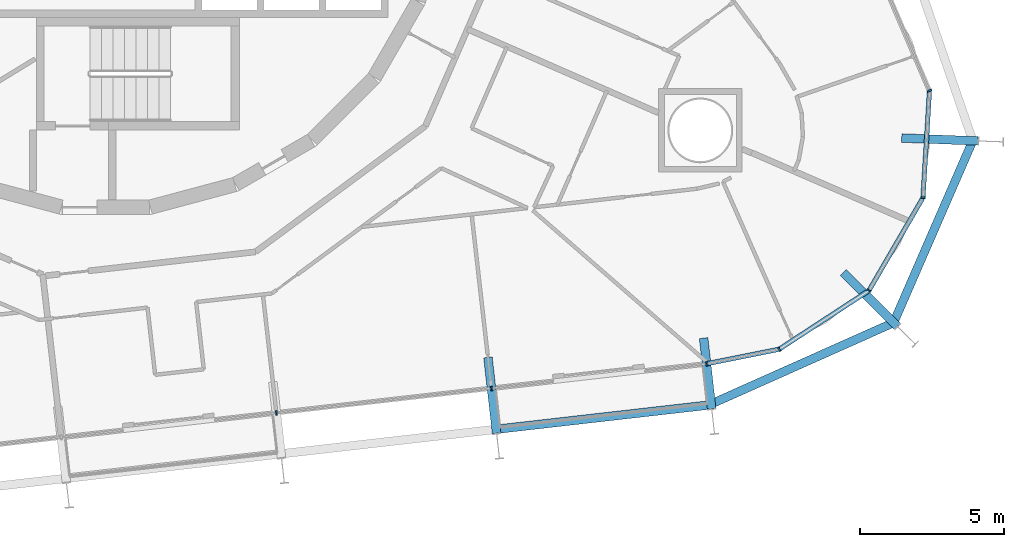
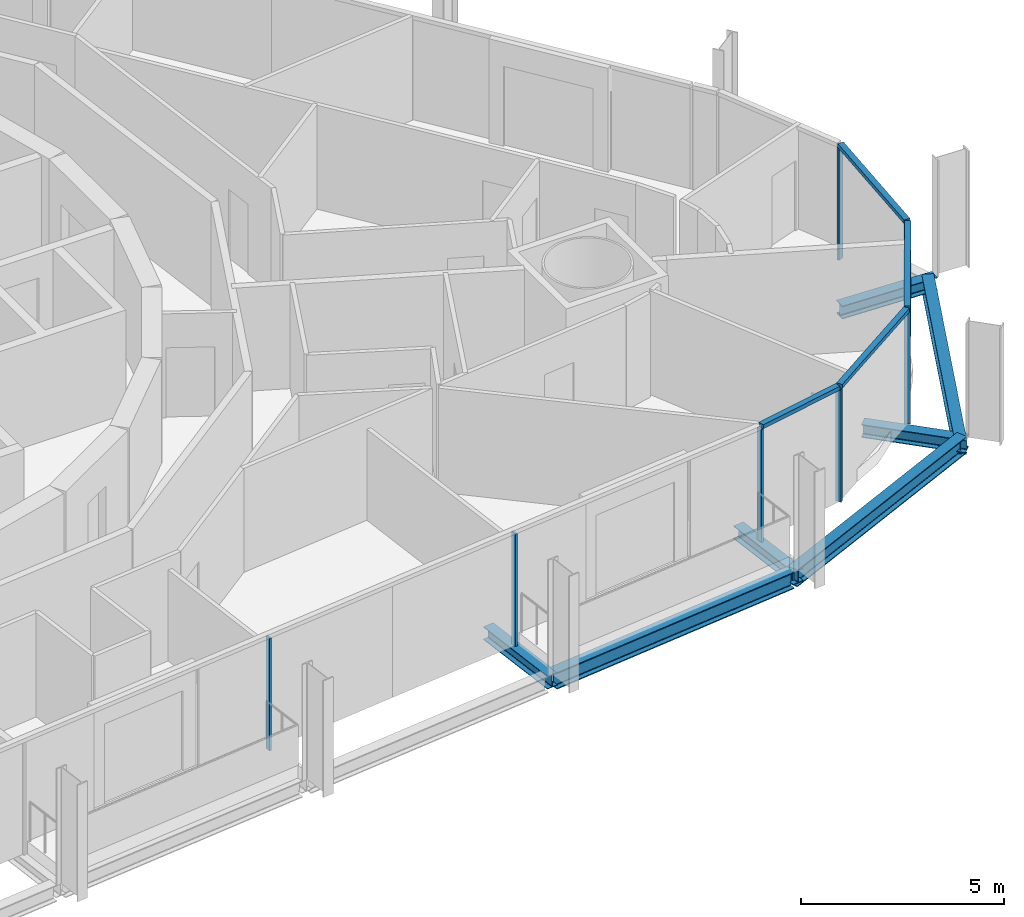
# One storey, part 7 of 24: 11 members, 7 beams, 2 elements without a shape of their own.
"""IFC4 building model written with IfcOpenShell, lengths in metres."""

from ifc_helpers import new_model, si_unit, direction, frame, origin, origin_2d, place, context, subcontext, project, spatial, rectangle, i_section, extrude, material, layer, layer_set, material_profile, profile_set, type_object, element, aggregate, save


model = new_model("IFC4")

# Units and contexts
model_context = context("Model", 3, precision=1e-05, world=origin(), true_north=direction((0.0, 1.0)))
body_context = subcontext(model_context, "Body", "Model", "MODEL_VIEW")
ifc_project = project(units=[si_unit("LENGTHUNIT", "METRE"), si_unit("AREAUNIT", "SQUARE_METRE"), si_unit("VOLUMEUNIT", "CUBIC_METRE"), si_unit("PLANEANGLEUNIT", "RADIAN"), si_unit("MASSUNIT", "GRAM", prefix="KILO")], contexts=[model_context])

# Site, building, storey
site_placement = place(None, origin())
site = spatial("IfcSite", under=ifc_project, at=site_placement, CompositionType="ELEMENT")
building_placement = place(site_placement, origin())
building = spatial("IfcBuilding", under=site, at=building_placement, Name="Spindle Arch Residences", CompositionType="ELEMENT")
storey_placement = place(building_placement, frame((0.0, 0.0, 101.199951171875)))
storey = spatial("IfcBuildingStorey", under=building, at=storey_placement, Name="L24", CompositionType="ELEMENT", Elevation=101.199951171875)

# Curtain wall, members
ifc_material_1 = material(Name="Aluminium bronze unitised frame with tinted glass", Category="aluminium")
ifc_layer_1 = layer(ifc_material_1, 0.159912109375)
ifc_layer_set_1 = layer_set([ifc_layer_1], Name="CW-D corner wall on the fillet arcs")
curtain_wall_type_1 = type_object("IfcCurtainWallType", Name="CW-D corner wall on the fillet arcs", PredefinedType="NOTDEFINED", material=ifc_layer_set_1)
curtain_wall_1_placement = place(storey_placement, origin())
curtain_wall_1 = element("IfcCurtainWall", 1, at=curtain_wall_1_placement, inside=storey, type_object=curtain_wall_type_1, Name="CW-D L24 run 1", PredefinedType="NOTDEFINED")
ifc_material_2 = material(Name="Aluminium bronze anodised mullion", Category="aluminium")
ifc_material_profile_1 = material_profile(ifc_material_2, rectangle(XDim=0.159912109375, YDim=0.06005859375, at=origin_2d()), Name="MU 60x160")
ifc_profile_set_1 = profile_set([ifc_material_profile_1], Name="Aluminium bronze anodised mullion")
member_type_1 = type_object("IfcMemberType", Name="Bronze mullion 60x160", PredefinedType="MULLION", material=ifc_profile_set_1)
member_1_placement = place(storey_placement, frame((20.865234375, -17.085205078125, -0.3798828125), z_axis=(0.0, 0.0, 1.0), x_axis=(-0.196863041416, 0.980430998553, 0.0)))
member_1 = element("IfcMember", 2, at=member_1_placement, type_object=member_type_1, Name="CW-D mullion 00", PredefinedType="MULLION", context=body_context, shape_type="SweptSolid", body=[
    extrude(rectangle(XDim=0.159912109375, YDim=0.06005859375, at=origin_2d()), origin(), (0.0, 0.0, 1.0), 3.3798828125),
])
member_2_placement = place(storey_placement, frame((23.38916015625, -16.57861328125, -0.3798828125), z_axis=(0.0, 0.0, 1.0), x_axis=(-0.547076323657, 0.83708272954, 0.0)))
member_2 = element("IfcMember", 3, at=member_2_placement, type_object=member_type_1, Name="CW-D mullion 01", PredefinedType="MULLION", context=body_context, shape_type="SweptSolid", body=[
    extrude(rectangle(XDim=0.159912109375, YDim=0.06005859375, at=origin_2d()), origin(), (0.0, 0.0, 1.0), 3.3798828125),
])
member_3_placement = place(storey_placement, frame((26.508544921875, -14.539794921875, -0.3798828125), z_axis=(0.0, 0.0, 1.0), x_axis=(-0.864567301682, 0.502517045345, 0.0)))
member_3 = element("IfcMember", 4, at=member_3_placement, type_object=member_type_1, Name="CW-D mullion 02", PredefinedType="MULLION", context=body_context, shape_type="SweptSolid", body=[
    extrude(rectangle(XDim=0.159912109375, YDim=0.06005859375, at=origin_2d()), origin(), (0.0, 0.0, 1.0), 3.3798828125),
])
member_4_placement = place(storey_placement, frame((28.38134765625, -11.317626953125, -0.3798828125), z_axis=(0.0, 0.0, 1.0), x_axis=(-0.998134798631, 0.06104853612, 0.0)))
member_4 = element("IfcMember", 5, at=member_4_placement, type_object=member_type_1, Name="CW-D mullion 03", PredefinedType="MULLION", context=body_context, shape_type="SweptSolid", body=[
    extrude(rectangle(XDim=0.159912109375, YDim=0.06005859375, at=origin_2d()), origin(), (0.0, 0.0, 1.0), 3.3798828125),
])
member_5_placement = place(storey_placement, frame((28.60888671875, -7.597900390625, -0.3798828125), z_axis=(0.0, 0.0, 1.0), x_axis=(-0.919364369298, -0.393407112882, 0.0)))
member_5 = element("IfcMember", 6, at=member_5_placement, type_object=member_type_1, Name="CW-D mullion 04", PredefinedType="MULLION", context=body_context, shape_type="SweptSolid", body=[
    extrude(rectangle(XDim=0.159912109375, YDim=0.06005859375, at=origin_2d()), origin(), (0.0, 0.0, 1.0), 3.3798828125),
])

ifc_material_3 = material(Name="Aluminium bronze unitised frame with tinted glass", Category="aluminium")
ifc_layer_2 = layer(ifc_material_3, 0.159912109375)
ifc_layer_set_2 = layer_set([ifc_layer_2], Name="CW-C typical residential unitised wall")
curtain_wall_type_2 = type_object("IfcCurtainWallType", Name="CW-C typical residential unitised wall", PredefinedType="NOTDEFINED", material=ifc_layer_set_2)
curtain_wall_2_placement = place(storey_placement, origin())
curtain_wall_2 = element("IfcCurtainWall", 7, at=curtain_wall_2_placement, inside=storey, type_object=curtain_wall_type_2, Name="CW-C L24 run 6", PredefinedType="NOTDEFINED")
member_6_placement = place(storey_placement, frame((5.92431640625, -18.78759765625, -0.3798828125), z_axis=(0.0, 0.0, 1.0), x_axis=(-0.113203213768, 0.993571855677, 0.0)))
member_6 = element("IfcMember", 8, at=member_6_placement, type_object=member_type_1, Name="CW-C mullion 00", PredefinedType="MULLION", context=body_context, shape_type="SweptSolid", body=[
    extrude(rectangle(XDim=0.159912109375, YDim=0.06005859375, at=origin_2d()), origin(), (0.0, 0.0, 1.0), 3.3798828125),
])
member_7_placement = place(storey_placement, frame((13.394775390625, -17.9365234375, -0.3798828125), z_axis=(0.0, 0.0, 1.0), x_axis=(-0.113203213768, 0.993571855677, 0.0)))
member_7 = element("IfcMember", 9, at=member_7_placement, type_object=member_type_1, Name="CW-C mullion 01", PredefinedType="MULLION", context=body_context, shape_type="SweptSolid", body=[
    extrude(rectangle(XDim=0.159912109375, YDim=0.06005859375, at=origin_2d()), origin(), (0.0, 0.0, 1.0), 3.3798828125),
])
aggregate(curtain_wall_2, [member_6, member_7])

# Member
ifc_material_4 = material(Name="Aluminium bronze anodised transom", Category="aluminium")
ifc_material_profile_2 = material_profile(ifc_material_4, rectangle(XDim=0.159912109375, YDim=0.1201171875, at=origin_2d()), Name="TR 120x160")
ifc_profile_set_2 = profile_set([ifc_material_profile_2], Name="Aluminium bronze anodised transom")
member_type_2 = type_object("IfcMemberType", Name="Bronze transom 120x160", PredefinedType="USERDEFINED", material=ifc_profile_set_2)
member_8_placement = place(storey_placement, frame((20.894775390625, -17.079345703125, 3.06005859375), z_axis=(0.980434738394, 0.196844415088, 0.0), x_axis=(-0.196844415088, 0.980434738394, 0.0)))
member_8 = element("IfcMember", 10, at=member_8_placement, type_object=member_type_2, Name="CW-D transom 00", ObjectType="TRANSOM", PredefinedType="USERDEFINED", context=body_context, shape_type="SweptSolid", body=[
    extrude(rectangle(XDim=0.159912109375, YDim=0.1201171875, at=origin_2d()), origin(), (0.0, 0.0, 1.0), 2.513916015625),
])

member_9_placement = place(storey_placement, frame((23.4140625, -16.562255859375, 3.06005859375), z_axis=(0.837085709997, 0.547071763226, 0.0), x_axis=(-0.547071763226, 0.837085709997, 0.0)))
member_9 = element("IfcMember", 11, at=member_9_placement, type_object=member_type_2, Name="CW-D transom 01", ObjectType="TRANSOM", PredefinedType="USERDEFINED", context=body_context, shape_type="SweptSolid", body=[
    extrude(rectangle(XDim=0.159912109375, YDim=0.1201171875, at=origin_2d()), origin(), (0.0, 0.0, 1.0), 3.6669921875),
])

member_10_placement = place(storey_placement, frame((26.523681640625, -14.513916015625, 3.06005859375), z_axis=(0.502549865263, 0.864548224753, 0.0), x_axis=(-0.864548224753, 0.502549865263, 0.0)))
member_10 = element("IfcMember", 12, at=member_10_placement, type_object=member_type_2, Name="CW-D transom 02", ObjectType="TRANSOM", PredefinedType="USERDEFINED", context=body_context, shape_type="SweptSolid", body=[
    extrude(rectangle(XDim=0.159912109375, YDim=0.1201171875, at=origin_2d()), origin(), (0.0, 0.0, 1.0), 3.666748046875),
])

member_11_placement = place(storey_placement, frame((28.38330078125, -11.287841796875, 3.06005859375), z_axis=(0.061055913319, 0.998134347395, 0.0), x_axis=(-0.998134347395, 0.061055913319, 0.0)))
member_11 = element("IfcMember", 13, at=member_11_placement, type_object=member_type_2, Name="CW-D transom 03", ObjectType="TRANSOM", PredefinedType="USERDEFINED", context=body_context, shape_type="SweptSolid", body=[
    extrude(rectangle(XDim=0.159912109375, YDim=0.1201171875, at=origin_2d()), origin(), (0.0, 0.0, 1.0), 3.666748046875),
])

aggregate(curtain_wall_1, [member_1, member_8, member_2, member_9, member_3, member_10, member_4, member_11, member_5])

# Beams
ifc_material_5 = material(Name="Steel S460ML, intumescent coating R 120", Category="steel")
ifc_material_profile_3 = material_profile(ifc_material_5, i_section(OverallWidth=0.300048828125, OverallDepth=0.5, WebThickness=0.014404296875, FlangeThickness=0.028076171875, FilletRadius=0.027099609375, at=origin_2d()), Name="HEB 500")
ifc_profile_set_3 = profile_set([ifc_material_profile_3], Name="Steel S460ML, intumescent coating R 120")
beam_type_1 = type_object("IfcBeamType", Name="Exoskeleton edge beam HEB 500", PredefinedType="BEAM", material=ifc_profile_set_3)
beam_1_placement = place(storey_placement, frame((13.686279296875, -19.345703125, -0.6298828125), z_axis=(0.993567208644, 0.113243992807, 0.0), x_axis=(-0.113243992807, 0.993567208644, 0.0)))
element("IfcBeam", 14, at=beam_1_placement, inside=storey, type_object=beam_type_1, Name="Exoskeleton edge beam 2", PredefinedType="BEAM", context=body_context, shape_type="SweptSolid", body=[
    extrude(i_section(OverallWidth=0.300048828125, OverallDepth=0.5, WebThickness=0.014404296875, FlangeThickness=0.028076171875, FilletRadius=0.027099609375, at=origin_2d()), origin(), (0.0, 0.0, 1.0), 7.2587890625),
])
beam_2_placement = place(storey_placement, frame((20.956787109375, -18.510986328125, -0.6298828125), z_axis=(0.913358271861, 0.407156809133, 0.0), x_axis=(-0.407156809133, 0.913358271861, 0.0)))
element("IfcBeam", 15, at=beam_2_placement, inside=storey, type_object=beam_type_1, Name="Exoskeleton edge beam 3", PredefinedType="BEAM", context=body_context, shape_type="SweptSolid", body=[
    extrude(i_section(OverallWidth=0.300048828125, OverallDepth=0.5, WebThickness=0.014404296875, FlangeThickness=0.028076171875, FilletRadius=0.027099609375, at=origin_2d()), origin(), (0.0, 0.0, 1.0), 7.09423828125),
])
beam_3_placement = place(storey_placement, frame((27.324462890625, -15.74462890625, -0.6298828125), z_axis=(0.398753826639, 0.917058005658, 0.0), x_axis=(-0.917058005658, 0.398753826639, 0.0)))
element("IfcBeam", 16, at=beam_3_placement, inside=storey, type_object=beam_type_1, Name="Exoskeleton edge beam 4", PredefinedType="BEAM", context=body_context, shape_type="SweptSolid", body=[
    extrude(i_section(OverallWidth=0.300048828125, OverallDepth=0.5, WebThickness=0.014404296875, FlangeThickness=0.028076171875, FilletRadius=0.027099609375, at=origin_2d()), origin(), (0.0, 0.0, 1.0), 7.086181640625),
])
ifc_material_6 = material(Name="Steel S460ML, intumescent coating R 120", Category="steel")
ifc_material_profile_4 = material_profile(ifc_material_6, i_section(OverallWidth=0.300048828125, OverallDepth=0.389892578125, WebThickness=0.010986328125, FlangeThickness=0.01904296875, FilletRadius=0.027099609375, at=origin_2d()), Name="HEA 400")
ifc_profile_set_4 = profile_set([ifc_material_profile_4], Name="Steel S460ML, intumescent coating R 120")
beam_type_2 = type_object("IfcBeamType", Name="Floor outrigger HEA 400", PredefinedType="BEAM", material=ifc_profile_set_4)
beam_4_placement = place(storey_placement, frame((13.572509765625, -19.496337890625, -0.574951171875), z_axis=(-0.113130863078, 0.993580096328, 0.0), x_axis=(-0.993580096328, -0.113130863078, 0.0)))
element("IfcBeam", 17, at=beam_4_placement, inside=storey, type_object=beam_type_2, Name="Floor outrigger 2", PredefinedType="BEAM", context=body_context, shape_type="SweptSolid", body=[
    extrude(i_section(OverallWidth=0.300048828125, OverallDepth=0.389892578125, WebThickness=0.010986328125, FlangeThickness=0.01904296875, FilletRadius=0.027099609375, at=origin_2d()), origin(), (0.0, 0.0, 1.0), 2.650146484375),
])
beam_5_placement = place(storey_placement, frame((21.043212890625, -18.645263671875, -0.574951171875), z_axis=(-0.113326452293, 0.993557806678, 0.0), x_axis=(-0.993557806678, -0.113326452293, 0.0)))
element("IfcBeam", 18, at=beam_5_placement, inside=storey, type_object=beam_type_2, Name="Floor outrigger 3", PredefinedType="BEAM", context=body_context, shape_type="SweptSolid", body=[
    extrude(i_section(OverallWidth=0.300048828125, OverallDepth=0.389892578125, WebThickness=0.010986328125, FlangeThickness=0.01904296875, FilletRadius=0.027099609375, at=origin_2d()), origin(), (0.0, 0.0, 1.0), 2.470947265625),
])
beam_6_placement = place(storey_placement, frame((27.49169921875, -15.78076171875, -0.574951171875), z_axis=(-0.709222613683, 0.704984598584, 0.0), x_axis=(-0.704984598584, -0.709222613683, 0.0)))
element("IfcBeam", 19, at=beam_6_placement, inside=storey, type_object=beam_type_2, Name="Floor outrigger 4", PredefinedType="BEAM", context=body_context, shape_type="SweptSolid", body=[
    extrude(i_section(OverallWidth=0.300048828125, OverallDepth=0.389892578125, WebThickness=0.010986328125, FlangeThickness=0.01904296875, FilletRadius=0.027099609375, at=origin_2d()), origin(), (0.0, 0.0, 1.0), 2.64990234375),
])
beam_7_placement = place(storey_placement, frame((30.290771484375, -9.34375, -0.574951171875), z_axis=(-0.999282920946, 0.037863490413, 0.0), x_axis=(-0.037863490413, -0.999282920946, 0.0)))
element("IfcBeam", 20, at=beam_7_placement, inside=storey, type_object=beam_type_2, Name="Floor outrigger 5", PredefinedType="BEAM", context=body_context, shape_type="SweptSolid", body=[
    extrude(i_section(OverallWidth=0.300048828125, OverallDepth=0.389892578125, WebThickness=0.010986328125, FlangeThickness=0.01904296875, FilletRadius=0.027099609375, at=origin_2d()), origin(), (0.0, 0.0, 1.0), 2.650146484375),
])

save(model, "model.ifc")
